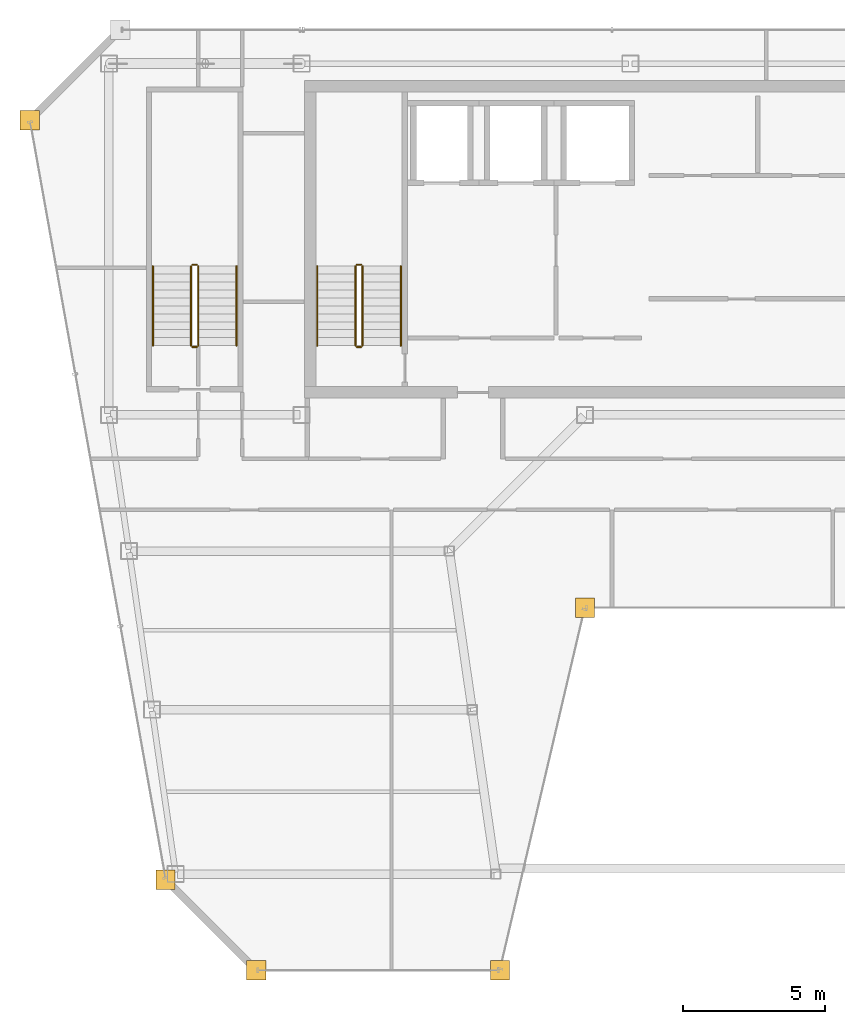
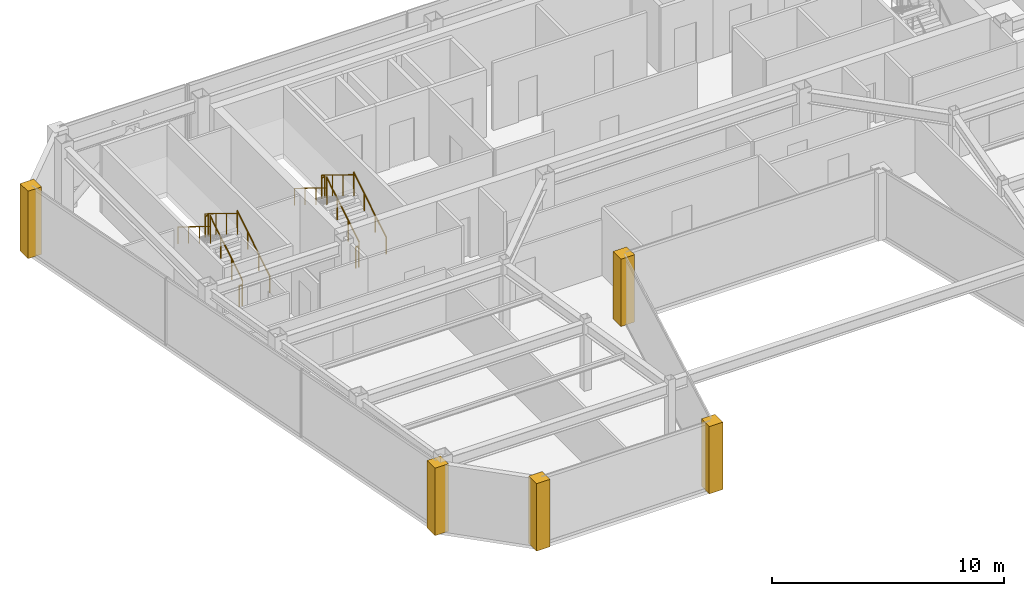
# One storey, part 30 of 32: 12 railings, 5 coverings.
"""IFC4 building model written with IfcOpenShell, lengths in metres."""

from ifc_helpers import new_model, si_unit, direction, frame, origin, origin_2d, place, context, subcontext, project, spatial, polyline, circle, outline, extrude, material, layer, layer_set, type_object, element, save


model = new_model("IFC4")

# Units and contexts
model_context = context("Model", 3, precision=1e-05, world=origin(), true_north=direction((0.0, 1.0)))
body_context = subcontext(model_context, "Body", "Model", "MODEL_VIEW")
ifc_project = project(units=[si_unit("LENGTHUNIT", "METRE"), si_unit("AREAUNIT", "SQUARE_METRE"), si_unit("VOLUMEUNIT", "CUBIC_METRE"), si_unit("PLANEANGLEUNIT", "RADIAN"), si_unit("MASSUNIT", "GRAM", prefix="KILO")], contexts=[model_context])

# Site, building, storey
site_placement = place(None, origin())
site = spatial("IfcSite", under=ifc_project, at=site_placement, CompositionType="ELEMENT")
building_placement = place(site_placement, origin())
building = spatial("IfcBuilding", under=site, at=building_placement, Name="Saevonmaru Cultural Tower", CompositionType="ELEMENT")
storey_placement = place(building_placement, frame((0.0, 0.0, 261.0)))
storey = spatial("IfcBuildingStorey", under=building, at=storey_placement, Name="L61", CompositionType="ELEMENT", Elevation=261.0)

# Coverings
ifc_material_1 = material(Name="Satin Bronze Anodised Aluminium", Category="aluminium")
ifc_layer = layer(ifc_material_1, 0.679931640625, Name="Satin Bronze Anodised Aluminium")
ifc_layer_set = layer_set([ifc_layer], Name="Satin Bronze Anodised Aluminium")
covering_type = type_object("IfcCoveringType", Name="CV-CORNER-CLAD", PredefinedType="CLADDING", material=ifc_layer_set)
covering_1_placement = place(storey_placement, origin())
element("IfcCovering", 1, at=covering_1_placement, inside=storey, type_object=covering_type, Name="L61 Tower Bronze Corner Cladding Pier 1", PredefinedType="CLADDING", context=body_context, shape_type="SweptSolid", body=[
    extrude(outline(polyline([(8.4560546875, 25.659912109375), (9.135986328125, 25.659912109375), (9.135986328125, 26.340087890625), (8.4560546875, 26.340087890625), (8.4560546875, 25.659912109375)])), origin(), (0.0, 0.0, 1.0), 3.550048828125),
])
covering_2_placement = place(storey_placement, origin())
element("IfcCovering", 2, at=covering_2_placement, inside=storey, type_object=covering_type, Name="L61 Tower Bronze Corner Cladding Pier 2", PredefinedType="CLADDING", context=body_context, shape_type="SweptSolid", body=[
    extrude(outline(polyline([(11.656005859375, 22.4599609375), (12.3359375, 22.4599609375), (12.3359375, 23.139892578125), (11.656005859375, 23.139892578125), (11.656005859375, 22.4599609375)])), origin(), (0.0, 0.0, 1.0), 3.550048828125),
])
covering_3_placement = place(storey_placement, origin())
element("IfcCovering", 3, at=covering_3_placement, inside=storey, type_object=covering_type, Name="L61 Tower Bronze Corner Cladding Pier 3", PredefinedType="CLADDING", context=body_context, shape_type="SweptSolid", body=[
    extrude(outline(polyline([(20.256103515625, 22.4599609375), (20.93603515625, 22.4599609375), (20.93603515625, 23.139892578125), (20.256103515625, 23.139892578125), (20.256103515625, 22.4599609375)])), origin(), (0.0, 0.0, 1.0), 3.550048828125),
])
covering_4_placement = place(storey_placement, origin())
element("IfcCovering", 4, at=covering_4_placement, inside=storey, type_object=covering_type, Name="L61 Tower Bronze Corner Cladding Pier 4", PredefinedType="CLADDING", context=body_context, shape_type="SweptSolid", body=[
    extrude(outline(polyline([(23.256103515625, 35.260009765625), (23.93603515625, 35.260009765625), (23.93603515625, 35.93994140625), (23.256103515625, 35.93994140625), (23.256103515625, 35.260009765625)])), origin(), (0.0, 0.0, 1.0), 3.550048828125),
])
covering_5_placement = place(storey_placement, origin())
element("IfcCovering", 5, at=covering_5_placement, inside=storey, type_object=covering_type, Name="L61 Tower Bronze Corner Cladding Pier 12", PredefinedType="CLADDING", context=body_context, shape_type="SweptSolid", body=[
    extrude(outline(polyline([(3.659912109375, 52.4599609375), (4.340087890625, 52.4599609375), (4.340087890625, 53.139892578125), (3.659912109375, 53.139892578125), (3.659912109375, 52.4599609375)])), origin(), (0.0, 0.0, 1.0), 3.550048828125),
])

# Railings
ifc_material_2 = material(Name="Architectural Painted Steel", Category="steel")
railing_type_1 = type_object("IfcRailingType", Name="RL-STAIR-GUARD", PredefinedType="GUARDRAIL", material=ifc_material_2)
railing_1_placement = place(storey_placement, frame((15.75, 44.85009765625, 0.172607421875)))
element("IfcRailing", 6, at=railing_1_placement, inside=storey, type_object=railing_type_1, Name="L61 ST-1 stair guard 1", PredefinedType="GUARDRAIL", context=body_context, shape_type="SweptSolid", body=[
    extrude(circle(Radius=0.02392578125, at=origin_2d()), frame((0.0, 0.0, 1.09619140625), z_axis=(0.0, 0.851069175582, 0.525053576669), x_axis=(-1.0, 0.0, 0.0)), (0.0, 0.0, 1.0), 3.289794921875),
    extrude(circle(Radius=0.02099609375, at=origin_2d()), origin(), (0.0, 0.0, 1.0), 1.072021484375),
    extrude(circle(Radius=0.02099609375, at=origin_2d()), frame((0.0, 0.933349609375, 0.57568359375)), (0.0, 0.0, 1.0), 1.072021484375),
    extrude(circle(Radius=0.02099609375, at=origin_2d()), frame((0.0, 1.866455078125, 1.151611328125)), (0.0, 0.0, 1.0), 1.072021484375),
    extrude(circle(Radius=0.02099609375, at=origin_2d()), frame((0.0, 2.7998046875, 1.727294921875)), (0.0, 0.0, 1.0), 1.072021484375),
])
railing_2_placement = place(storey_placement, frame((15.699951171875, 47.699951171875, 1.89990234375)))
element("IfcRailing", 7, at=railing_2_placement, inside=storey, type_object=railing_type_1, Name="L61 ST-1 stair guard 2", PredefinedType="GUARDRAIL", context=body_context, shape_type="SweptSolid", body=[
    extrude(circle(Radius=0.02392578125, at=origin_2d()), frame((0.0, 0.0, 1.09619140625), z_axis=(-1.0, 0.0, 0.0), x_axis=(0.0, -1.0, 0.0)), (0.0, 0.0, 1.0), 0.14990234375),
    extrude(circle(Radius=0.02099609375, at=origin_2d()), origin(), (0.0, 0.0, 1.0), 1.072021484375),
    extrude(circle(Radius=0.02099609375, at=origin_2d()), frame((-0.14990234375, 0.0, 0.0)), (0.0, 0.0, 1.0), 1.072021484375),
])
railing_3_placement = place(storey_placement, frame((15.5, 47.64990234375, 2.07275390625)))
element("IfcRailing", 8, at=railing_3_placement, inside=storey, type_object=railing_type_1, Name="L61 ST-1 stair guard 3", PredefinedType="GUARDRAIL", context=body_context, shape_type="SweptSolid", body=[
    extrude(circle(Radius=0.02392578125, at=origin_2d()), frame((0.0, 0.0, 1.09619140625), z_axis=(0.0, -0.851069175582, 0.525053576669), x_axis=(1.0, 0.0, 0.0)), (0.0, 0.0, 1.0), 3.289794921875),
    extrude(circle(Radius=0.02099609375, at=origin_2d()), origin(), (0.0, 0.0, 1.0), 1.072021484375),
    extrude(circle(Radius=0.02099609375, at=origin_2d()), frame((0.0, -0.933349609375, 0.57568359375)), (0.0, 0.0, 1.0), 1.072021484375),
    extrude(circle(Radius=0.02099609375, at=origin_2d()), frame((0.0, -1.866455078125, 1.151611328125)), (0.0, 0.0, 1.0), 1.072021484375),
    extrude(circle(Radius=0.02099609375, at=origin_2d()), frame((0.0, -2.7998046875, 1.727294921875)), (0.0, 0.0, 1.0), 1.072021484375),
])
railing_4_placement = place(storey_placement, frame((15.699951171875, 44.800048828125, 0.0)))
element("IfcRailing", 9, at=railing_4_placement, inside=storey, type_object=railing_type_1, Name="L61 ST-1 stair guard 4", PredefinedType="GUARDRAIL", context=body_context, shape_type="SweptSolid", body=[
    extrude(circle(Radius=0.02392578125, at=origin_2d()), frame((0.0, 0.0, 1.09619140625), z_axis=(-1.0, 0.0, 0.0), x_axis=(0.0, -1.0, 0.0)), (0.0, 0.0, 1.0), 0.14990234375),
    extrude(circle(Radius=0.02099609375, at=origin_2d()), origin(), (0.0, 0.0, 1.0), 1.072021484375),
    extrude(circle(Radius=0.02099609375, at=origin_2d()), frame((-0.14990234375, 0.0, 0.0)), (0.0, 0.0, 1.0), 1.072021484375),
])
railing_5_placement = place(storey_placement, frame((9.949951171875, 44.85009765625, 0.172607421875)))
element("IfcRailing", 10, at=railing_5_placement, inside=storey, type_object=railing_type_1, Name="L61 ST-3 stair guard 1", PredefinedType="GUARDRAIL", context=body_context, shape_type="SweptSolid", body=[
    extrude(circle(Radius=0.02392578125, at=origin_2d()), frame((0.0, 0.0, 1.09619140625), z_axis=(0.0, 0.851069175582, 0.525053576669), x_axis=(-1.0, 0.0, 0.0)), (0.0, 0.0, 1.0), 3.289794921875),
    extrude(circle(Radius=0.02099609375, at=origin_2d()), origin(), (0.0, 0.0, 1.0), 1.072021484375),
    extrude(circle(Radius=0.02099609375, at=origin_2d()), frame((0.0, 0.933349609375, 0.57568359375)), (0.0, 0.0, 1.0), 1.072021484375),
    extrude(circle(Radius=0.02099609375, at=origin_2d()), frame((0.0, 1.866455078125, 1.151611328125)), (0.0, 0.0, 1.0), 1.072021484375),
    extrude(circle(Radius=0.02099609375, at=origin_2d()), frame((0.0, 2.7998046875, 1.727294921875)), (0.0, 0.0, 1.0), 1.072021484375),
])
railing_6_placement = place(storey_placement, frame((9.89990234375, 47.699951171875, 1.89990234375)))
element("IfcRailing", 11, at=railing_6_placement, inside=storey, type_object=railing_type_1, Name="L61 ST-3 stair guard 2", PredefinedType="GUARDRAIL", context=body_context, shape_type="SweptSolid", body=[
    extrude(circle(Radius=0.02392578125, at=origin_2d()), frame((0.0, 0.0, 1.09619140625), z_axis=(-1.0, 0.0, 0.0), x_axis=(0.0, -1.0, 0.0)), (0.0, 0.0, 1.0), 0.14990234375),
    extrude(circle(Radius=0.02099609375, at=origin_2d()), origin(), (0.0, 0.0, 1.0), 1.072021484375),
    extrude(circle(Radius=0.02099609375, at=origin_2d()), frame((-0.14990234375, 0.0, 0.0)), (0.0, 0.0, 1.0), 1.072021484375),
])
railing_7_placement = place(storey_placement, frame((9.699951171875, 47.64990234375, 2.07275390625)))
element("IfcRailing", 12, at=railing_7_placement, inside=storey, type_object=railing_type_1, Name="L61 ST-3 stair guard 3", PredefinedType="GUARDRAIL", context=body_context, shape_type="SweptSolid", body=[
    extrude(circle(Radius=0.02392578125, at=origin_2d()), frame((0.0, 0.0, 1.09619140625), z_axis=(0.0, -0.851069175582, 0.525053576669), x_axis=(1.0, 0.0, 0.0)), (0.0, 0.0, 1.0), 3.289794921875),
    extrude(circle(Radius=0.02099609375, at=origin_2d()), origin(), (0.0, 0.0, 1.0), 1.072021484375),
    extrude(circle(Radius=0.02099609375, at=origin_2d()), frame((0.0, -0.933349609375, 0.57568359375)), (0.0, 0.0, 1.0), 1.072021484375),
    extrude(circle(Radius=0.02099609375, at=origin_2d()), frame((0.0, -1.866455078125, 1.151611328125)), (0.0, 0.0, 1.0), 1.072021484375),
    extrude(circle(Radius=0.02099609375, at=origin_2d()), frame((0.0, -2.7998046875, 1.727294921875)), (0.0, 0.0, 1.0), 1.072021484375),
])
railing_8_placement = place(storey_placement, frame((9.89990234375, 44.800048828125, 0.0)))
element("IfcRailing", 13, at=railing_8_placement, inside=storey, type_object=railing_type_1, Name="L61 ST-3 stair guard 4", PredefinedType="GUARDRAIL", context=body_context, shape_type="SweptSolid", body=[
    extrude(circle(Radius=0.02392578125, at=origin_2d()), frame((0.0, 0.0, 1.09619140625), z_axis=(-1.0, 0.0, 0.0), x_axis=(0.0, -1.0, 0.0)), (0.0, 0.0, 1.0), 0.14990234375),
    extrude(circle(Radius=0.02099609375, at=origin_2d()), origin(), (0.0, 0.0, 1.0), 1.072021484375),
    extrude(circle(Radius=0.02099609375, at=origin_2d()), frame((-0.14990234375, 0.0, 0.0)), (0.0, 0.0, 1.0), 1.072021484375),
])
railing_type_2 = type_object("IfcRailingType", Name="RL-STAIR-HANDRAIL", PredefinedType="HANDRAIL", material=ifc_material_1)
railing_9_placement = place(storey_placement, frame((17.10009765625, 44.85009765625, 0.172607421875)))
element("IfcRailing", 14, at=railing_9_placement, inside=storey, type_object=railing_type_2, Name="L61 ST-1 stair handrail 1", PredefinedType="HANDRAIL", context=body_context, shape_type="SweptSolid", body=[
    extrude(circle(Radius=0.02392578125, at=origin_2d()), frame((0.0, 0.0, 0.8759765625), z_axis=(0.0, 0.851069175582, 0.525053576669), x_axis=(-1.0, 0.0, 0.0)), (0.0, 0.0, 1.0), 3.289794921875),
    extrude(circle(Radius=0.02099609375, at=origin_2d()), origin(), (0.0, 0.0, 1.0), 0.851806640625),
    extrude(circle(Radius=0.02099609375, at=origin_2d()), frame((0.0, 0.933349609375, 0.57568359375)), (0.0, 0.0, 1.0), 0.851806640625),
    extrude(circle(Radius=0.02099609375, at=origin_2d()), frame((0.0, 1.866455078125, 1.151611328125)), (0.0, 0.0, 1.0), 0.851806640625),
    extrude(circle(Radius=0.02099609375, at=origin_2d()), frame((0.0, 2.7998046875, 1.727294921875)), (0.0, 0.0, 1.0), 0.851806640625),
])
railing_10_placement = place(storey_placement, frame((14.14990234375, 47.64990234375, 2.07275390625)))
element("IfcRailing", 15, at=railing_10_placement, inside=storey, type_object=railing_type_2, Name="L61 ST-1 stair handrail 2", PredefinedType="HANDRAIL", context=body_context, shape_type="SweptSolid", body=[
    extrude(circle(Radius=0.02392578125, at=origin_2d()), frame((0.0, 0.0, 0.8759765625), z_axis=(0.0, -0.851069175582, 0.525053576669), x_axis=(1.0, 0.0, 0.0)), (0.0, 0.0, 1.0), 3.289794921875),
    extrude(circle(Radius=0.02099609375, at=origin_2d()), origin(), (0.0, 0.0, 1.0), 0.851806640625),
    extrude(circle(Radius=0.02099609375, at=origin_2d()), frame((0.0, -0.933349609375, 0.57568359375)), (0.0, 0.0, 1.0), 0.851806640625),
    extrude(circle(Radius=0.02099609375, at=origin_2d()), frame((0.0, -1.866455078125, 1.151611328125)), (0.0, 0.0, 1.0), 0.851806640625),
    extrude(circle(Radius=0.02099609375, at=origin_2d()), frame((0.0, -2.7998046875, 1.727294921875)), (0.0, 0.0, 1.0), 0.851806640625),
])
railing_11_placement = place(storey_placement, frame((11.300048828125, 44.85009765625, 0.172607421875)))
element("IfcRailing", 16, at=railing_11_placement, inside=storey, type_object=railing_type_2, Name="L61 ST-3 stair handrail 1", PredefinedType="HANDRAIL", context=body_context, shape_type="SweptSolid", body=[
    extrude(circle(Radius=0.02392578125, at=origin_2d()), frame((0.0, 0.0, 0.8759765625), z_axis=(0.0, 0.851069175582, 0.525053576669), x_axis=(-1.0, 0.0, 0.0)), (0.0, 0.0, 1.0), 3.289794921875),
    extrude(circle(Radius=0.02099609375, at=origin_2d()), origin(), (0.0, 0.0, 1.0), 0.851806640625),
    extrude(circle(Radius=0.02099609375, at=origin_2d()), frame((0.0, 0.933349609375, 0.57568359375)), (0.0, 0.0, 1.0), 0.851806640625),
    extrude(circle(Radius=0.02099609375, at=origin_2d()), frame((0.0, 1.866455078125, 1.151611328125)), (0.0, 0.0, 1.0), 0.851806640625),
    extrude(circle(Radius=0.02099609375, at=origin_2d()), frame((0.0, 2.7998046875, 1.727294921875)), (0.0, 0.0, 1.0), 0.851806640625),
])
railing_12_placement = place(storey_placement, frame((8.35009765625, 47.64990234375, 2.07275390625)))
element("IfcRailing", 17, at=railing_12_placement, inside=storey, type_object=railing_type_2, Name="L61 ST-3 stair handrail 2", PredefinedType="HANDRAIL", context=body_context, shape_type="SweptSolid", body=[
    extrude(circle(Radius=0.02392578125, at=origin_2d()), frame((0.0, 0.0, 0.8759765625), z_axis=(0.0, -0.851069175582, 0.525053576669), x_axis=(1.0, 0.0, 0.0)), (0.0, 0.0, 1.0), 3.289794921875),
    extrude(circle(Radius=0.02099609375, at=origin_2d()), origin(), (0.0, 0.0, 1.0), 0.851806640625),
    extrude(circle(Radius=0.02099609375, at=origin_2d()), frame((0.0, -0.933349609375, 0.57568359375)), (0.0, 0.0, 1.0), 0.851806640625),
    extrude(circle(Radius=0.02099609375, at=origin_2d()), frame((0.0, -1.866455078125, 1.151611328125)), (0.0, 0.0, 1.0), 0.851806640625),
    extrude(circle(Radius=0.02099609375, at=origin_2d()), frame((0.0, -2.7998046875, 1.727294921875)), (0.0, 0.0, 1.0), 0.851806640625),
])

save(model, "model.ifc")
